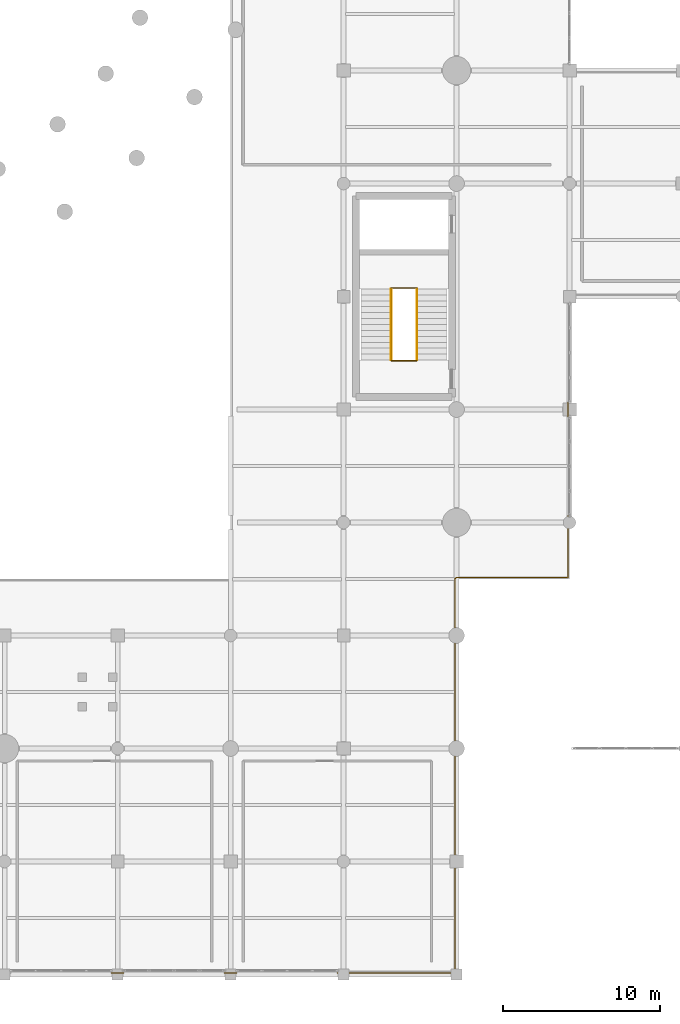
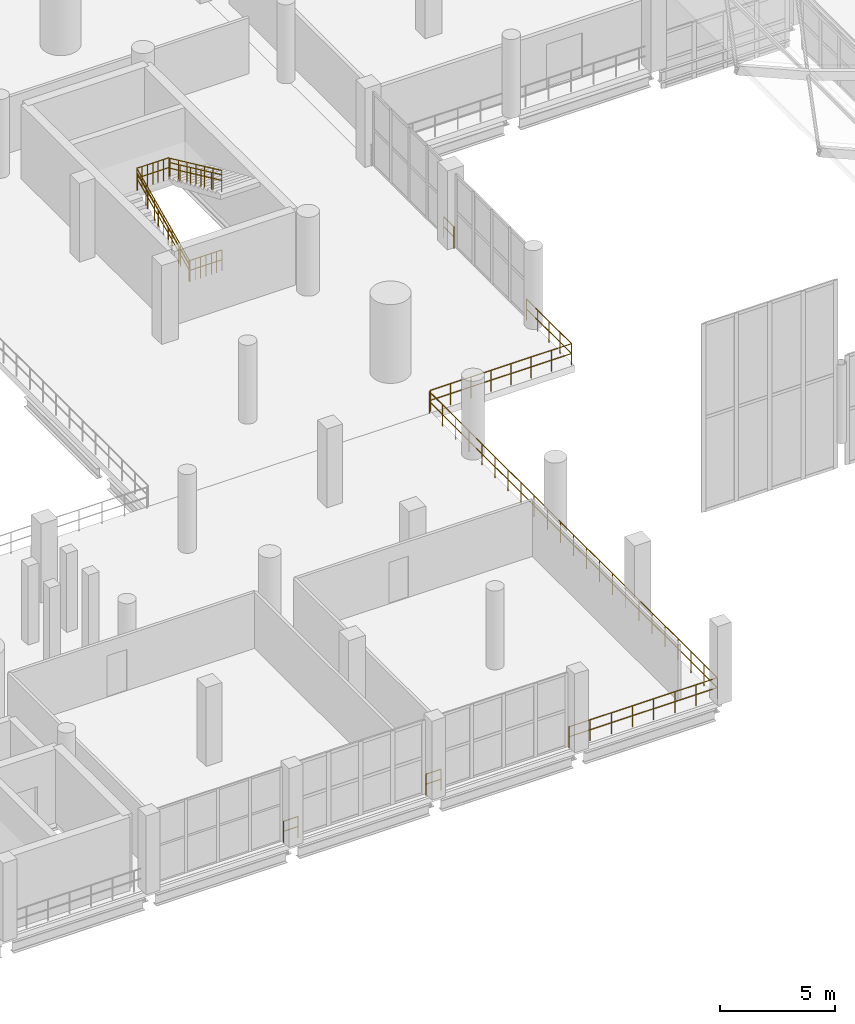
# One storey, part 145 of 153: 11 railings.
"""IFC4 building model written with IfcOpenShell, lengths in metres."""

from ifc_helpers import new_model, si_unit, direction, frame, origin, origin_2d, place, context, subcontext, project, spatial, circle, extrude, material, type_object, element, save


model = new_model("IFC4")

# Units and contexts
model_context = context("Model", 3, precision=1e-05, world=origin(), true_north=direction((0.0, 1.0)))
body_context = subcontext(model_context, "Body", "Model", "MODEL_VIEW")
ifc_project = project(units=[si_unit("LENGTHUNIT", "METRE"), si_unit("AREAUNIT", "SQUARE_METRE"), si_unit("VOLUMEUNIT", "CUBIC_METRE"), si_unit("PLANEANGLEUNIT", "RADIAN"), si_unit("MASSUNIT", "GRAM", prefix="KILO")], contexts=[model_context])

# Site, building, storey
site_placement = place(None, origin())
site = spatial("IfcSite", under=ifc_project, at=site_placement, CompositionType="ELEMENT")
building_placement = place(site_placement, origin())
building = spatial("IfcBuilding", under=site, at=building_placement, Name="Qandorah Velis Arena", CompositionType="ELEMENT")
storey_placement = place(building_placement, frame((0.0, 0.0, 5.39990234375)))
storey = spatial("IfcBuildingStorey", under=building, at=storey_placement, Name="L01", CompositionType="ELEMENT", Elevation=5.39990234375)

# Railings
ifc_material = material(Name="Stainless steel 316", Category="steel")
railing_type_1 = type_object("IfcRailingType", Name="ARC-RL-GRD1150", PredefinedType="GUARDRAIL", material=ifc_material)
for number, where, name in (
    (1, (111.0400390625, 39.110107421875, 0.0), "Stair ST11 landing well-slot guardrail L01"),
    (2, (111.0400390625, 43.74609375, 2.10009765625), "Stair ST11 well guardrail (L01)"),
):
    element("IfcRailing", number, at=place(storey_placement, frame(where)), inside=storey, type_object=railing_type_1, Name=name, PredefinedType="GUARDRAIL", context=body_context, shape_type="SweptSolid", body=[
        extrude(circle(Radius=0.02392578125, at=origin_2d()), frame((0.0, 0.0, 1.1259765625), z_axis=(1.0, 0.0, 0.0), x_axis=(0.0, 1.0, 0.0)), (0.0, 0.0, 1.0), 1.619873046875),
        extrude(circle(Radius=0.02392578125, at=origin_2d()), frame((0.0, 0.0, 0.597900390625), z_axis=(1.0, 0.0, 0.0), x_axis=(0.0, 1.0, 0.0)), (0.0, 0.0, 1.0), 1.619873046875),
        extrude(circle(Radius=0.02099609375, at=origin_2d()), origin(), (0.0, 0.0, 1.0), 1.101806640625),
        extrude(circle(Radius=0.02099609375, at=origin_2d()), frame((0.27001953125, 0.0, 0.0)), (0.0, 0.0, 1.0), 1.101806640625),
        extrude(circle(Radius=0.02099609375, at=origin_2d()), frame((0.5400390625, 0.0, 0.0)), (0.0, 0.0, 1.0), 1.101806640625),
        extrude(circle(Radius=0.02099609375, at=origin_2d()), frame((0.81005859375, 0.0, 0.0)), (0.0, 0.0, 1.0), 1.101806640625),
        extrude(circle(Radius=0.02099609375, at=origin_2d()), frame((1.079833984375, 0.0, 0.0)), (0.0, 0.0, 1.0), 1.101806640625),
        extrude(circle(Radius=0.02099609375, at=origin_2d()), frame((1.349853515625, 0.0, 0.0)), (0.0, 0.0, 1.0), 1.101806640625),
        extrude(circle(Radius=0.02099609375, at=origin_2d()), frame((1.619873046875, 0.0, 0.0)), (0.0, 0.0, 1.0), 1.101806640625),
    ])
railing_1_placement = place(storey_placement, frame((111.030029296875, 39.14990234375, 0.0)))
element("IfcRailing", 3, at=railing_1_placement, inside=storey, type_object=railing_type_1, Name="Stair ST11 inner flight 1 guardrail (L01)", PredefinedType="GUARDRAIL", context=body_context, shape_type="SweptSolid", body=[
    extrude(circle(Radius=0.02392578125, at=origin_2d()), frame((0.0, 0.0, 1.1259765625), z_axis=(0.0, 0.907464148506, 0.420129526666), x_axis=(-1.0, 0.0, 0.0)), (0.0, 0.0, 1.0), 4.998779296875),
    extrude(circle(Radius=0.02392578125, at=origin_2d()), frame((0.0, 0.0, 0.597900390625), z_axis=(0.0, 0.907464148506, 0.420129526666), x_axis=(-1.0, 0.0, 0.0)), (0.0, 0.0, 1.0), 4.998779296875),
    extrude(circle(Radius=0.02099609375, at=origin_2d()), origin(), (0.0, 0.0, 1.0), 1.101806640625),
    extrude(circle(Radius=0.02099609375, at=origin_2d()), frame((0.0, 0.756103515625, 0.35009765625)), (0.0, 0.0, 1.0), 1.101806640625),
    extrude(circle(Radius=0.02099609375, at=origin_2d()), frame((0.0, 1.511962890625, 0.699951171875)), (0.0, 0.0, 1.0), 1.101806640625),
    extrude(circle(Radius=0.02099609375, at=origin_2d()), frame((0.0, 2.26806640625, 1.050048828125)), (0.0, 0.0, 1.0), 1.101806640625),
    extrude(circle(Radius=0.02099609375, at=origin_2d()), frame((0.0, 3.024169921875, 1.400146484375)), (0.0, 0.0, 1.0), 1.101806640625),
    extrude(circle(Radius=0.02099609375, at=origin_2d()), frame((0.0, 3.780029296875, 1.75)), (0.0, 0.0, 1.0), 1.101806640625),
    extrude(circle(Radius=0.02099609375, at=origin_2d()), frame((0.0, 4.5361328125, 2.10009765625)), (0.0, 0.0, 1.0), 1.101806640625),
])
railing_2_placement = place(storey_placement, frame((112.669921875, 43.68603515625, 2.10009765625)))
element("IfcRailing", 4, at=railing_2_placement, inside=storey, type_object=railing_type_1, Name="Stair ST11 inner flight 2 guardrail (L01)", PredefinedType="GUARDRAIL", context=body_context, shape_type="SweptSolid", body=[
    extrude(circle(Radius=0.02392578125, at=origin_2d()), frame((0.0, 0.0, 1.1259765625), z_axis=(0.0, -0.907464148506, 0.420129526666), x_axis=(1.0, 0.0, 0.0)), (0.0, 0.0, 1.0), 4.998779296875),
    extrude(circle(Radius=0.02392578125, at=origin_2d()), frame((0.0, 0.0, 0.597900390625), z_axis=(0.0, -0.907464148506, 0.420129526666), x_axis=(1.0, 0.0, 0.0)), (0.0, 0.0, 1.0), 4.998779296875),
    extrude(circle(Radius=0.02099609375, at=origin_2d()), origin(), (0.0, 0.0, 1.0), 1.101806640625),
    extrude(circle(Radius=0.02099609375, at=origin_2d()), frame((0.0, -0.756103515625, 0.35009765625)), (0.0, 0.0, 1.0), 1.101806640625),
    extrude(circle(Radius=0.02099609375, at=origin_2d()), frame((0.0, -1.511962890625, 0.699951171875)), (0.0, 0.0, 1.0), 1.101806640625),
    extrude(circle(Radius=0.02099609375, at=origin_2d()), frame((0.0, -2.26806640625, 1.050048828125)), (0.0, 0.0, 1.0), 1.101806640625),
    extrude(circle(Radius=0.02099609375, at=origin_2d()), frame((0.0, -3.024169921875, 1.400146484375)), (0.0, 0.0, 1.0), 1.101806640625),
    extrude(circle(Radius=0.02099609375, at=origin_2d()), frame((0.0, -3.780029296875, 1.75)), (0.0, 0.0, 1.0), 1.101806640625),
    extrude(circle(Radius=0.02099609375, at=origin_2d()), frame((0.0, -4.5361328125, 2.10009765625)), (0.0, 0.0, 1.0), 1.101806640625),
])
railing_3_placement = place(storey_placement, frame((115.10009765625, 0.10009765625, 0.0)))
element("IfcRailing", 5, at=railing_3_placement, inside=storey, type_object=railing_type_1, Name="Slab edge safety guardrail L01-083", PredefinedType="GUARDRAIL", context=body_context, shape_type="SweptSolid", body=[
    extrude(circle(Radius=0.02392578125, at=origin_2d()), frame((0.0, 0.0, 1.1259765625), z_axis=(-1.0, 0.0, 0.0), x_axis=(0.0, -1.0, 0.0)), (0.0, 0.0, 1.0), 7.47509765625),
    extrude(circle(Radius=0.02392578125, at=origin_2d()), frame((0.0, 0.0, 0.597900390625), z_axis=(-1.0, 0.0, 0.0), x_axis=(0.0, -1.0, 0.0)), (0.0, 0.0, 1.0), 7.47509765625),
    extrude(circle(Radius=0.02099609375, at=origin_2d()), origin(), (0.0, 0.0, 1.0), 1.101806640625),
    extrude(circle(Radius=0.02099609375, at=origin_2d()), frame((-1.06787109375, 0.0, 0.0)), (0.0, 0.0, 1.0), 1.101806640625),
    extrude(circle(Radius=0.02099609375, at=origin_2d()), frame((-2.1357421875, 0.0, 0.0)), (0.0, 0.0, 1.0), 1.101806640625),
    extrude(circle(Radius=0.02099609375, at=origin_2d()), frame((-3.20361328125, 0.0, 0.0)), (0.0, 0.0, 1.0), 1.101806640625),
    extrude(circle(Radius=0.02099609375, at=origin_2d()), frame((-4.271484375, 0.0, 0.0)), (0.0, 0.0, 1.0), 1.101806640625),
    extrude(circle(Radius=0.02099609375, at=origin_2d()), frame((-5.33935546875, 0.0, 0.0)), (0.0, 0.0, 1.0), 1.101806640625),
    extrude(circle(Radius=0.02099609375, at=origin_2d()), frame((-6.4072265625, 0.0, 0.0)), (0.0, 0.0, 1.0), 1.101806640625),
    extrude(circle(Radius=0.02099609375, at=origin_2d()), frame((-7.47509765625, 0.0, 0.0)), (0.0, 0.0, 1.0), 1.101806640625),
])
for number, where, name in (
    (6, (101.175048828125, 0.10009765625, 0.0), "Slab edge safety guardrail L01-084"),
    (7, (93.97509765625, 0.10009765625, 0.0), "Slab edge safety guardrail L01-085"),
):
    element("IfcRailing", number, at=place(storey_placement, frame(where)), inside=storey, type_object=railing_type_1, Name=name, PredefinedType="GUARDRAIL", context=body_context, shape_type="SweptSolid", body=[
        extrude(circle(Radius=0.02392578125, at=origin_2d()), frame((0.0, 0.0, 1.1259765625), z_axis=(-1.0, 0.0, 0.0), x_axis=(0.0, -1.0, 0.0)), (0.0, 0.0, 1.0), 0.75),
        extrude(circle(Radius=0.02392578125, at=origin_2d()), frame((0.0, 0.0, 0.597900390625), z_axis=(-1.0, 0.0, 0.0), x_axis=(0.0, -1.0, 0.0)), (0.0, 0.0, 1.0), 0.75),
        extrude(circle(Radius=0.02099609375, at=origin_2d()), origin(), (0.0, 0.0, 1.0), 1.101806640625),
        extrude(circle(Radius=0.02099609375, at=origin_2d()), frame((-0.75, 0.0, 0.0)), (0.0, 0.0, 1.0), 1.101806640625),
    ])
railing_4_placement = place(storey_placement, frame((122.300048828125, 36.449951171875, 0.0)))
element("IfcRailing", 8, at=railing_4_placement, inside=storey, type_object=railing_type_1, Name="Slab edge safety guardrail L01-124", PredefinedType="GUARDRAIL", context=body_context, shape_type="SweptSolid", body=[
    extrude(circle(Radius=0.02392578125, at=origin_2d()), frame((0.0, 0.0, 1.1259765625), z_axis=(0.0, -1.0, 0.0), x_axis=(1.0, 0.0, 0.0)), (0.0, 0.0, 1.0), 0.89990234375),
    extrude(circle(Radius=0.02392578125, at=origin_2d()), frame((0.0, 0.0, 0.597900390625), z_axis=(0.0, -1.0, 0.0), x_axis=(1.0, 0.0, 0.0)), (0.0, 0.0, 1.0), 0.89990234375),
    extrude(circle(Radius=0.02099609375, at=origin_2d()), origin(), (0.0, 0.0, 1.0), 1.101806640625),
    extrude(circle(Radius=0.02099609375, at=origin_2d()), frame((0.0, -0.89990234375, 0.0)), (0.0, 0.0, 1.0), 1.101806640625),
])
railing_5_placement = place(storey_placement, frame((122.300048828125, 29.22509765625, 0.0)))
element("IfcRailing", 9, at=railing_5_placement, inside=storey, type_object=railing_type_1, Name="Slab edge safety guardrail L01-125", PredefinedType="GUARDRAIL", context=body_context, shape_type="SweptSolid", body=[
    extrude(circle(Radius=0.02392578125, at=origin_2d()), frame((0.0, 0.0, 1.1259765625), z_axis=(0.0, -1.0, 0.0), x_axis=(1.0, 0.0, 0.0)), (0.0, 0.0, 1.0), 3.925048828125),
    extrude(circle(Radius=0.02392578125, at=origin_2d()), frame((0.0, 0.0, 0.597900390625), z_axis=(0.0, -1.0, 0.0), x_axis=(1.0, 0.0, 0.0)), (0.0, 0.0, 1.0), 3.925048828125),
    extrude(circle(Radius=0.02392578125, at=origin_2d()), frame((0.0, -3.925048828125, 1.1259765625), z_axis=(-1.0, 0.0, 0.0), x_axis=(0.0, -1.0, 0.0)), (0.0, 0.0, 1.0), 7.10009765625),
    extrude(circle(Radius=0.02392578125, at=origin_2d()), frame((0.0, -3.925048828125, 0.597900390625), z_axis=(-1.0, 0.0, 0.0), x_axis=(0.0, -1.0, 0.0)), (0.0, 0.0, 1.0), 7.10009765625),
    extrude(circle(Radius=0.02392578125, at=origin_2d()), frame((-7.10009765625, -3.925048828125, 1.1259765625), z_axis=(-0.772928297309, -0.634493378388, 0.0), x_axis=(0.634493378388, -0.772928297309, 0.0)), (0.0, 0.0, 1.0), 0.126953125),
    extrude(circle(Radius=0.02392578125, at=origin_2d()), frame((-7.10009765625, -3.925048828125, 0.597900390625), z_axis=(-0.772928297309, -0.634493378388, 0.0), x_axis=(0.634493378388, -0.772928297309, 0.0)), (0.0, 0.0, 1.0), 0.126953125),
    extrude(circle(Radius=0.02392578125, at=origin_2d()), frame((-7.1982421875, -4.005615234375, 1.1259765625), z_axis=(-6.8034484e-05, -0.999999997686, 0.0), x_axis=(0.999999997686, -6.8034484e-05, 0.0)), (0.0, 0.0, 1.0), 25.119384765625),
    extrude(circle(Radius=0.02392578125, at=origin_2d()), frame((-7.1982421875, -4.005615234375, 0.597900390625), z_axis=(-6.8034484e-05, -0.999999997686, 0.0), x_axis=(0.999999997686, -6.8034484e-05, 0.0)), (0.0, 0.0, 1.0), 25.119384765625),
    extrude(circle(Radius=0.02099609375, at=origin_2d()), origin(), (0.0, 0.0, 1.0), 1.101806640625),
    extrude(circle(Radius=0.02099609375, at=origin_2d()), frame((0.0, -0.981201171875, 0.0)), (0.0, 0.0, 1.0), 1.101806640625),
    extrude(circle(Radius=0.02099609375, at=origin_2d()), frame((0.0, -1.96240234375, 0.0)), (0.0, 0.0, 1.0), 1.101806640625),
    extrude(circle(Radius=0.02099609375, at=origin_2d()), frame((0.0, -2.94384765625, 0.0)), (0.0, 0.0, 1.0), 1.101806640625),
    extrude(circle(Radius=0.02099609375, at=origin_2d()), frame((0.0, -3.925048828125, 0.0)), (0.0, 0.0, 1.0), 1.101806640625),
    extrude(circle(Radius=0.02099609375, at=origin_2d()), frame((-1.014404296875, -3.925048828125, 0.0)), (0.0, 0.0, 1.0), 1.101806640625),
    extrude(circle(Radius=0.02099609375, at=origin_2d()), frame((-2.028564453125, -3.925048828125, 0.0)), (0.0, 0.0, 1.0), 1.101806640625),
    extrude(circle(Radius=0.02099609375, at=origin_2d()), frame((-3.04296875, -3.925048828125, 0.0)), (0.0, 0.0, 1.0), 1.101806640625),
    extrude(circle(Radius=0.02099609375, at=origin_2d()), frame((-4.05712890625, -3.925048828125, 0.0)), (0.0, 0.0, 1.0), 1.101806640625),
    extrude(circle(Radius=0.02099609375, at=origin_2d()), frame((-5.071533203125, -3.925048828125, 0.0)), (0.0, 0.0, 1.0), 1.101806640625),
    extrude(circle(Radius=0.02099609375, at=origin_2d()), frame((-6.085693359375, -3.925048828125, 0.0)), (0.0, 0.0, 1.0), 1.101806640625),
    extrude(circle(Radius=0.02099609375, at=origin_2d()), frame((-7.10009765625, -3.925048828125, 0.0)), (0.0, 0.0, 1.0), 1.101806640625),
    extrude(circle(Radius=0.02099609375, at=origin_2d()), frame((-7.1982421875, -4.005615234375, 0.0)), (0.0, 0.0, 1.0), 1.101806640625),
    extrude(circle(Radius=0.02099609375, at=origin_2d()), frame((-7.1982421875, -5.1474609375, 0.0)), (0.0, 0.0, 1.0), 1.101806640625),
    extrude(circle(Radius=0.02099609375, at=origin_2d()), frame((-7.198486328125, -6.289306640625, 0.0)), (0.0, 0.0, 1.0), 1.101806640625),
    extrude(circle(Radius=0.02099609375, at=origin_2d()), frame((-7.198486328125, -7.430908203125, 0.0)), (0.0, 0.0, 1.0), 1.101806640625),
    extrude(circle(Radius=0.02099609375, at=origin_2d()), frame((-7.198486328125, -8.57275390625, 0.0)), (0.0, 0.0, 1.0), 1.101806640625),
    extrude(circle(Radius=0.02099609375, at=origin_2d()), frame((-7.19873046875, -9.714599609375, 0.0)), (0.0, 0.0, 1.0), 1.101806640625),
    extrude(circle(Radius=0.02099609375, at=origin_2d()), frame((-7.19873046875, -10.8564453125, 0.0)), (0.0, 0.0, 1.0), 1.101806640625),
    extrude(circle(Radius=0.02099609375, at=origin_2d()), frame((-7.19873046875, -11.998046875, 0.0)), (0.0, 0.0, 1.0), 1.101806640625),
    extrude(circle(Radius=0.02099609375, at=origin_2d()), frame((-7.198974609375, -13.139892578125, 0.0)), (0.0, 0.0, 1.0), 1.101806640625),
    extrude(circle(Radius=0.02099609375, at=origin_2d()), frame((-7.198974609375, -14.28173828125, 0.0)), (0.0, 0.0, 1.0), 1.101806640625),
    extrude(circle(Radius=0.02099609375, at=origin_2d()), frame((-7.198974609375, -15.423583984375, 0.0)), (0.0, 0.0, 1.0), 1.101806640625),
    extrude(circle(Radius=0.02099609375, at=origin_2d()), frame((-7.19921875, -16.5654296875, 0.0)), (0.0, 0.0, 1.0), 1.101806640625),
    extrude(circle(Radius=0.02099609375, at=origin_2d()), frame((-7.19921875, -17.70703125, 0.0)), (0.0, 0.0, 1.0), 1.101806640625),
    extrude(circle(Radius=0.02099609375, at=origin_2d()), frame((-7.19921875, -18.848876953125, 0.0)), (0.0, 0.0, 1.0), 1.101806640625),
    extrude(circle(Radius=0.02099609375, at=origin_2d()), frame((-7.19921875, -19.99072265625, 0.0)), (0.0, 0.0, 1.0), 1.101806640625),
    extrude(circle(Radius=0.02099609375, at=origin_2d()), frame((-7.199462890625, -21.132568359375, 0.0)), (0.0, 0.0, 1.0), 1.101806640625),
    extrude(circle(Radius=0.02099609375, at=origin_2d()), frame((-7.199462890625, -22.274169921875, 0.0)), (0.0, 0.0, 1.0), 1.101806640625),
    extrude(circle(Radius=0.02099609375, at=origin_2d()), frame((-7.199462890625, -23.416015625, 0.0)), (0.0, 0.0, 1.0), 1.101806640625),
    extrude(circle(Radius=0.02099609375, at=origin_2d()), frame((-7.19970703125, -24.557861328125, 0.0)), (0.0, 0.0, 1.0), 1.101806640625),
    extrude(circle(Radius=0.02099609375, at=origin_2d()), frame((-7.19970703125, -25.69970703125, 0.0)), (0.0, 0.0, 1.0), 1.101806640625),
    extrude(circle(Radius=0.02099609375, at=origin_2d()), frame((-7.19970703125, -26.84130859375, 0.0)), (0.0, 0.0, 1.0), 1.101806640625),
    extrude(circle(Radius=0.02099609375, at=origin_2d()), frame((-7.199951171875, -27.983154296875, 0.0)), (0.0, 0.0, 1.0), 1.101806640625),
    extrude(circle(Radius=0.02099609375, at=origin_2d()), frame((-7.199951171875, -29.125, 0.0)), (0.0, 0.0, 1.0), 1.101806640625),
])
railing_type_2 = type_object("IfcRailingType", Name="ARC-RL-HND920", PredefinedType="HANDRAIL", material=ifc_material)
railing_6_placement = place(storey_placement, frame((111.030029296875, 39.14990234375, 0.0)))
element("IfcRailing", 10, at=railing_6_placement, inside=storey, type_object=railing_type_2, Name="Stair ST11 inner handrail 1 (L01)", PredefinedType="HANDRAIL", context=body_context, shape_type="SweptSolid", body=[
    extrude(circle(Radius=0.02392578125, at=origin_2d()), frame((0.0, 0.0, 0.89599609375), z_axis=(0.0, 0.907464148506, 0.420129526666), x_axis=(-1.0, 0.0, 0.0)), (0.0, 0.0, 1.0), 4.998779296875),
    extrude(circle(Radius=0.02099609375, at=origin_2d()), origin(), (0.0, 0.0, 1.0), 0.871826171875),
    extrude(circle(Radius=0.02099609375, at=origin_2d()), frame((0.0, 0.9072265625, 0.419921875)), (0.0, 0.0, 1.0), 0.871826171875),
    extrude(circle(Radius=0.02099609375, at=origin_2d()), frame((0.0, 1.814453125, 0.840087890625)), (0.0, 0.0, 1.0), 0.871826171875),
    extrude(circle(Radius=0.02099609375, at=origin_2d()), frame((0.0, 2.7216796875, 1.260009765625)), (0.0, 0.0, 1.0), 0.871826171875),
    extrude(circle(Radius=0.02099609375, at=origin_2d()), frame((0.0, 3.62890625, 1.68017578125)), (0.0, 0.0, 1.0), 0.871826171875),
    extrude(circle(Radius=0.02099609375, at=origin_2d()), frame((0.0, 4.5361328125, 2.10009765625)), (0.0, 0.0, 1.0), 0.871826171875),
])
railing_7_placement = place(storey_placement, frame((112.669921875, 43.68603515625, 2.10009765625)))
element("IfcRailing", 11, at=railing_7_placement, inside=storey, type_object=railing_type_2, Name="Stair ST11 inner handrail 2 (L01)", PredefinedType="HANDRAIL", context=body_context, shape_type="SweptSolid", body=[
    extrude(circle(Radius=0.02392578125, at=origin_2d()), frame((0.0, 0.0, 0.89599609375), z_axis=(0.0, -0.907464148506, 0.420129526666), x_axis=(1.0, 0.0, 0.0)), (0.0, 0.0, 1.0), 4.998779296875),
    extrude(circle(Radius=0.02099609375, at=origin_2d()), origin(), (0.0, 0.0, 1.0), 0.871826171875),
    extrude(circle(Radius=0.02099609375, at=origin_2d()), frame((0.0, -0.9072265625, 0.419921875)), (0.0, 0.0, 1.0), 0.871826171875),
    extrude(circle(Radius=0.02099609375, at=origin_2d()), frame((0.0, -1.814453125, 0.840087890625)), (0.0, 0.0, 1.0), 0.871826171875),
    extrude(circle(Radius=0.02099609375, at=origin_2d()), frame((0.0, -2.7216796875, 1.260009765625)), (0.0, 0.0, 1.0), 0.871826171875),
    extrude(circle(Radius=0.02099609375, at=origin_2d()), frame((0.0, -3.62890625, 1.68017578125)), (0.0, 0.0, 1.0), 0.871826171875),
    extrude(circle(Radius=0.02099609375, at=origin_2d()), frame((0.0, -4.5361328125, 2.10009765625)), (0.0, 0.0, 1.0), 0.871826171875),
])

save(model, "model.ifc")
